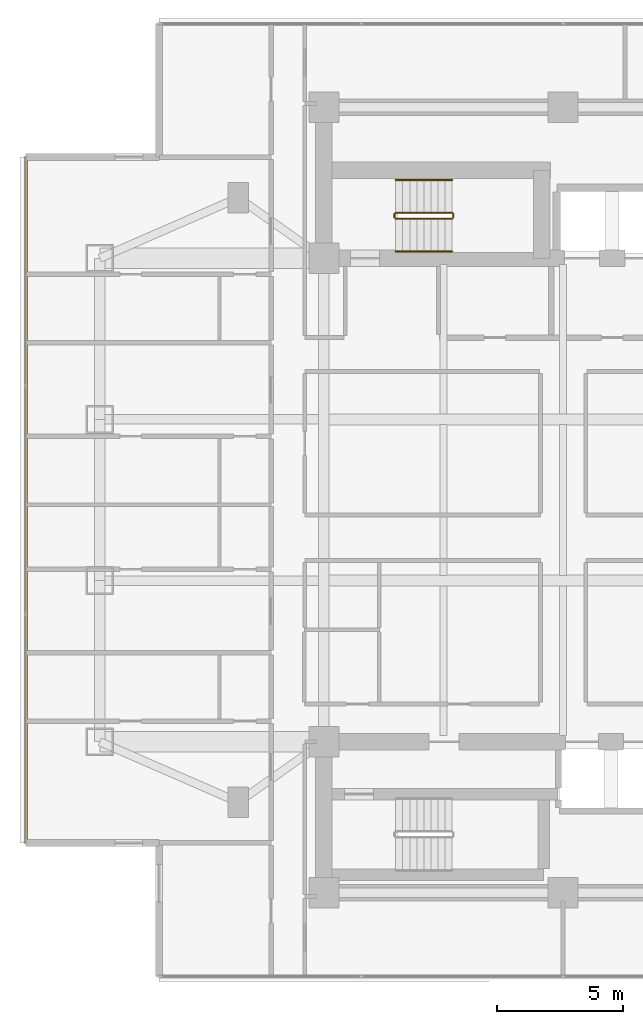
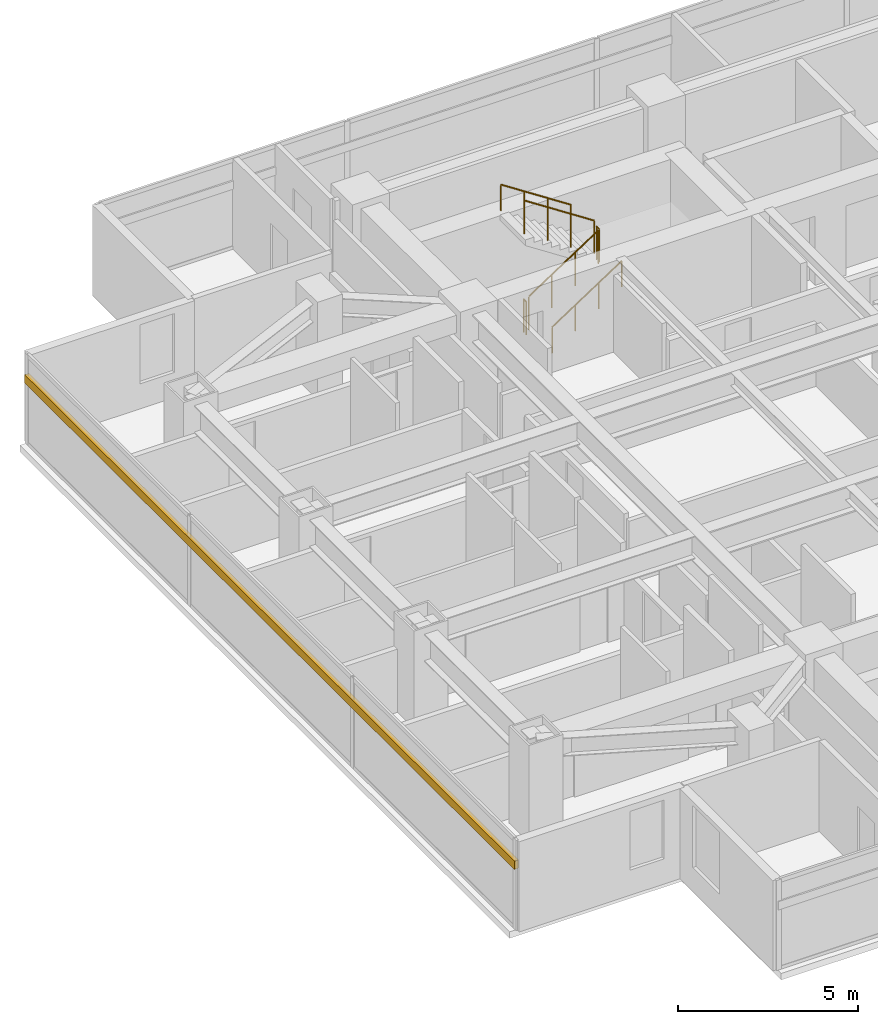
# One storey, part 20 of 24: 6 railings, 1 shading device.
"""IFC4 building model written with IfcOpenShell, lengths in metres."""

from ifc_helpers import new_model, si_unit, direction, frame, origin, origin_2d, place, context, subcontext, project, spatial, rectangle, circle, extrude, material, material_profile, profile_set, type_object, element, save


model = new_model("IFC4")

# Units and contexts
model_context = context("Model", 3, precision=1e-05, world=origin(), true_north=direction((0.0, 1.0)))
body_context = subcontext(model_context, "Body", "Model", "MODEL_VIEW")
ifc_project = project(units=[si_unit("LENGTHUNIT", "METRE"), si_unit("AREAUNIT", "SQUARE_METRE"), si_unit("VOLUMEUNIT", "CUBIC_METRE"), si_unit("PLANEANGLEUNIT", "RADIAN"), si_unit("MASSUNIT", "GRAM", prefix="KILO")], contexts=[model_context])

# Site, building, storey
site_placement = place(None, origin())
site = spatial("IfcSite", under=ifc_project, at=site_placement, CompositionType="ELEMENT")
building_placement = place(site_placement, origin())
building = spatial("IfcBuilding", under=site, at=building_placement, Name="Mirazonda Arch Towers", CompositionType="ELEMENT")
storey_placement = place(building_placement, frame((0.0, 0.0, 101.60009765625)))
storey = spatial("IfcBuildingStorey", under=building, at=storey_placement, Name="L28", CompositionType="ELEMENT", Elevation=101.60009765625)

# Shading device
ifc_material_1 = material(Name="Kiln-Fired Architectural Terracotta", Category="masonry")
ifc_material_profile = material_profile(ifc_material_1, rectangle(XDim=0.139892578125, YDim=0.280029296875, at=origin_2d()), Name="TERRA-BAG-140x280")
ifc_profile_set = profile_set([ifc_material_profile], Name="Kiln-Fired Architectural Terracotta")
shading_device_type = type_object("IfcShadingDeviceType", Name="BAGUETTE-3", PredefinedType="USERDEFINED", material=ifc_profile_set)
shading_device_placement = place(storey_placement, frame((-0.85009765625, 41.616943359375, 2.203125), z_axis=(0.0, -1.0, 0.0), x_axis=(1.0, 0.0, 0.0)))
element("IfcShadingDevice", 1, at=shading_device_placement, inside=storey, type_object=shading_device_type, Name="L28 Glazed Terracotta Sun-Screen Baguette CW-L28-T1-W", ObjectType="BAGUETTE", PredefinedType="USERDEFINED", context=body_context, shape_type="SweptSolid", body=[
    extrude(rectangle(XDim=0.139892578125, YDim=0.280029296875, at=origin_2d()), origin(), (0.0, 0.0, 1.0), 27.23388671875),
])

# Railings
ifc_material_2 = material(Name="Architectural Brushed Steel S355", Category="steel")
railing_type_1 = type_object("IfcRailingType", Name="GUARD-STAIR-1120", PredefinedType="GUARDRAIL", material=ifc_material_2)
railing_1_placement = place(storey_placement, frame((13.85009765625, 39.169921875, 0.183349609375)))
element("IfcRailing", 2, at=railing_1_placement, inside=storey, type_object=railing_type_1, Name="L28 ST-T1N stair guard 1", PredefinedType="GUARDRAIL", context=body_context, shape_type="SweptSolid", body=[
    extrude(circle(Radius=0.02392578125, at=origin_2d()), frame((0.0, 0.0, 1.1259765625), z_axis=(0.836636935527, 0.0, 0.547757827979), x_axis=(0.0, 1.0, 0.0)), (0.0, 0.0, 1.0), 2.677490234375),
    extrude(circle(Radius=0.02099609375, at=origin_2d()), origin(), (0.0, 0.0, 1.0), 1.101806640625),
    extrude(circle(Radius=0.02099609375, at=origin_2d()), frame((0.74658203125, 0.0, 0.48876953125)), (0.0, 0.0, 1.0), 1.101806640625),
    extrude(circle(Radius=0.02099609375, at=origin_2d()), frame((1.493408203125, 0.0, 0.977783203125)), (0.0, 0.0, 1.0), 1.101806640625),
    extrude(circle(Radius=0.02099609375, at=origin_2d()), frame((2.239990234375, 0.0, 1.466552734375)), (0.0, 0.0, 1.0), 1.101806640625),
])
railing_2_placement = place(storey_placement, frame((16.139892578125, 39.219970703125, 1.64990234375)))
element("IfcRailing", 3, at=railing_2_placement, inside=storey, type_object=railing_type_1, Name="L28 ST-T1N stair guard 2", PredefinedType="GUARDRAIL", context=body_context, shape_type="SweptSolid", body=[
    extrude(circle(Radius=0.02392578125, at=origin_2d()), frame((0.0, 0.0, 1.1259765625), z_axis=(0.0, 1.0, 0.0), x_axis=(-1.0, 0.0, 0.0)), (0.0, 0.0, 1.0), 0.14013671875),
    extrude(circle(Radius=0.02099609375, at=origin_2d()), origin(), (0.0, 0.0, 1.0), 1.101806640625),
    extrude(circle(Radius=0.02099609375, at=origin_2d()), frame((0.0, 0.14013671875, 0.0)), (0.0, 0.0, 1.0), 1.101806640625),
])
railing_3_placement = place(storey_placement, frame((16.090087890625, 39.409912109375, 1.833251953125)))
element("IfcRailing", 4, at=railing_3_placement, inside=storey, type_object=railing_type_1, Name="L28 ST-T1N stair guard 3", PredefinedType="GUARDRAIL", context=body_context, shape_type="SweptSolid", body=[
    extrude(circle(Radius=0.02392578125, at=origin_2d()), frame((0.0, 0.0, 1.1259765625), z_axis=(-0.836636935527, 0.0, 0.547757827979), x_axis=(0.0, -1.0, 0.0)), (0.0, 0.0, 1.0), 2.677490234375),
    extrude(circle(Radius=0.02099609375, at=origin_2d()), origin(), (0.0, 0.0, 1.0), 1.101806640625),
    extrude(circle(Radius=0.02099609375, at=origin_2d()), frame((-0.74658203125, 0.0, 0.48876953125)), (0.0, 0.0, 1.0), 1.101806640625),
    extrude(circle(Radius=0.02099609375, at=origin_2d()), frame((-1.493408203125, 0.0, 0.977783203125)), (0.0, 0.0, 1.0), 1.101806640625),
    extrude(circle(Radius=0.02099609375, at=origin_2d()), frame((-2.239990234375, 0.0, 1.466552734375)), (0.0, 0.0, 1.0), 1.101806640625),
])
railing_4_placement = place(storey_placement, frame((13.800048828125, 39.219970703125, 0.0)))
element("IfcRailing", 5, at=railing_4_placement, inside=storey, type_object=railing_type_1, Name="L28 ST-T1N stair guard 4", PredefinedType="GUARDRAIL", context=body_context, shape_type="SweptSolid", body=[
    extrude(circle(Radius=0.02392578125, at=origin_2d()), frame((0.0, 0.0, 1.1259765625), z_axis=(0.0, 1.0, 0.0), x_axis=(-1.0, 0.0, 0.0)), (0.0, 0.0, 1.0), 0.14013671875),
    extrude(circle(Radius=0.02099609375, at=origin_2d()), origin(), (0.0, 0.0, 1.0), 1.101806640625),
    extrude(circle(Radius=0.02099609375, at=origin_2d()), frame((0.0, 0.14013671875, 0.0)), (0.0, 0.0, 1.0), 1.101806640625),
])
railing_type_2 = type_object("IfcRailingType", Name="HANDRAIL-915", PredefinedType="HANDRAIL", material=ifc_material_2)
railing_5_placement = place(storey_placement, frame((13.85009765625, 37.8701171875, 0.183349609375)))
element("IfcRailing", 6, at=railing_5_placement, inside=storey, type_object=railing_type_2, Name="L28 ST-T1N stair handrail 1", PredefinedType="HANDRAIL", context=body_context, shape_type="SweptSolid", body=[
    extrude(circle(Radius=0.02392578125, at=origin_2d()), frame((0.0, 0.0, 0.8759765625), z_axis=(0.836636935527, 0.0, 0.547757827979), x_axis=(0.0, 1.0, 0.0)), (0.0, 0.0, 1.0), 2.677490234375),
    extrude(circle(Radius=0.02099609375, at=origin_2d()), origin(), (0.0, 0.0, 1.0), 0.851806640625),
    extrude(circle(Radius=0.02099609375, at=origin_2d()), frame((0.74658203125, 0.0, 0.48876953125)), (0.0, 0.0, 1.0), 0.851806640625),
    extrude(circle(Radius=0.02099609375, at=origin_2d()), frame((1.493408203125, 0.0, 0.977783203125)), (0.0, 0.0, 1.0), 0.851806640625),
    extrude(circle(Radius=0.02099609375, at=origin_2d()), frame((2.239990234375, 0.0, 1.466552734375)), (0.0, 0.0, 1.0), 0.851806640625),
])
railing_6_placement = place(storey_placement, frame((16.090087890625, 40.7099609375, 1.833251953125)))
element("IfcRailing", 7, at=railing_6_placement, inside=storey, type_object=railing_type_2, Name="L28 ST-T1N stair handrail 2", PredefinedType="HANDRAIL", context=body_context, shape_type="SweptSolid", body=[
    extrude(circle(Radius=0.02392578125, at=origin_2d()), frame((0.0, 0.0, 0.8759765625), z_axis=(-0.836636935527, 0.0, 0.547757827979), x_axis=(0.0, -1.0, 0.0)), (0.0, 0.0, 1.0), 2.677490234375),
    extrude(circle(Radius=0.02099609375, at=origin_2d()), origin(), (0.0, 0.0, 1.0), 0.851806640625),
    extrude(circle(Radius=0.02099609375, at=origin_2d()), frame((-0.74658203125, 0.0, 0.48876953125)), (0.0, 0.0, 1.0), 0.851806640625),
    extrude(circle(Radius=0.02099609375, at=origin_2d()), frame((-1.493408203125, 0.0, 0.977783203125)), (0.0, 0.0, 1.0), 0.851806640625),
    extrude(circle(Radius=0.02099609375, at=origin_2d()), frame((-2.239990234375, 0.0, 1.466552734375)), (0.0, 0.0, 1.0), 0.851806640625),
])

save(model, "model.ifc")
